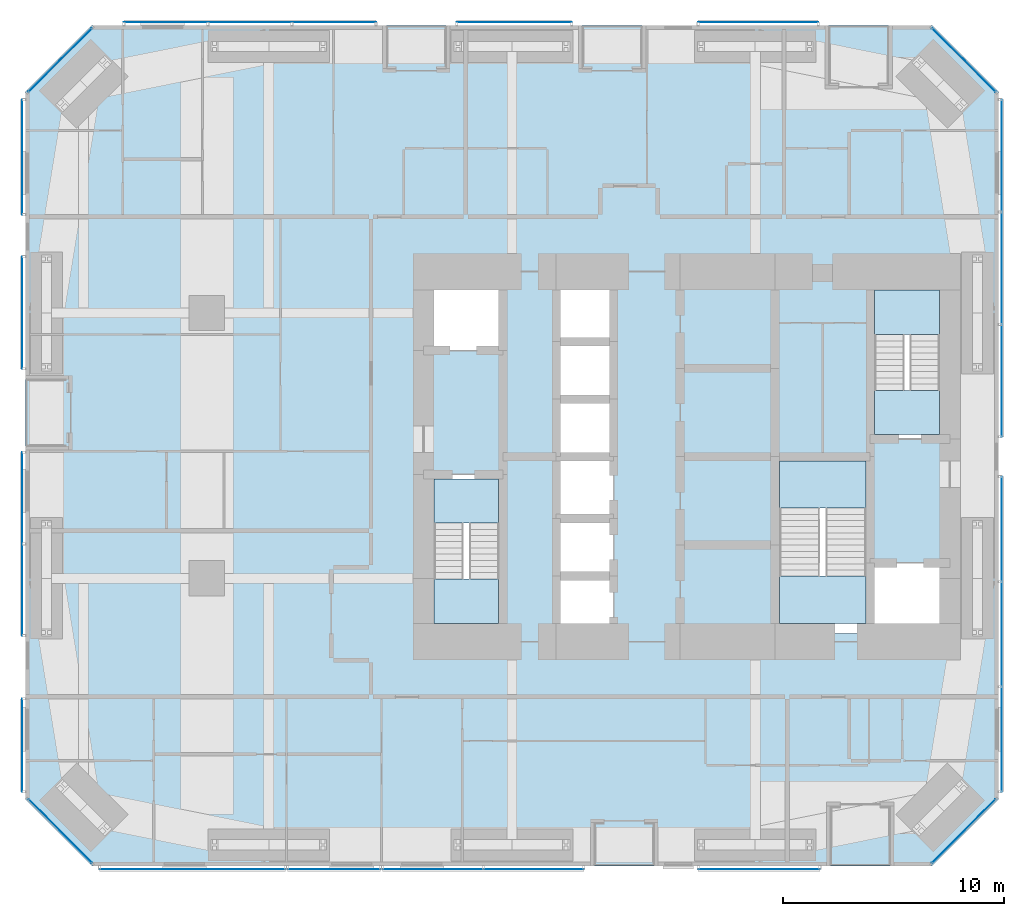
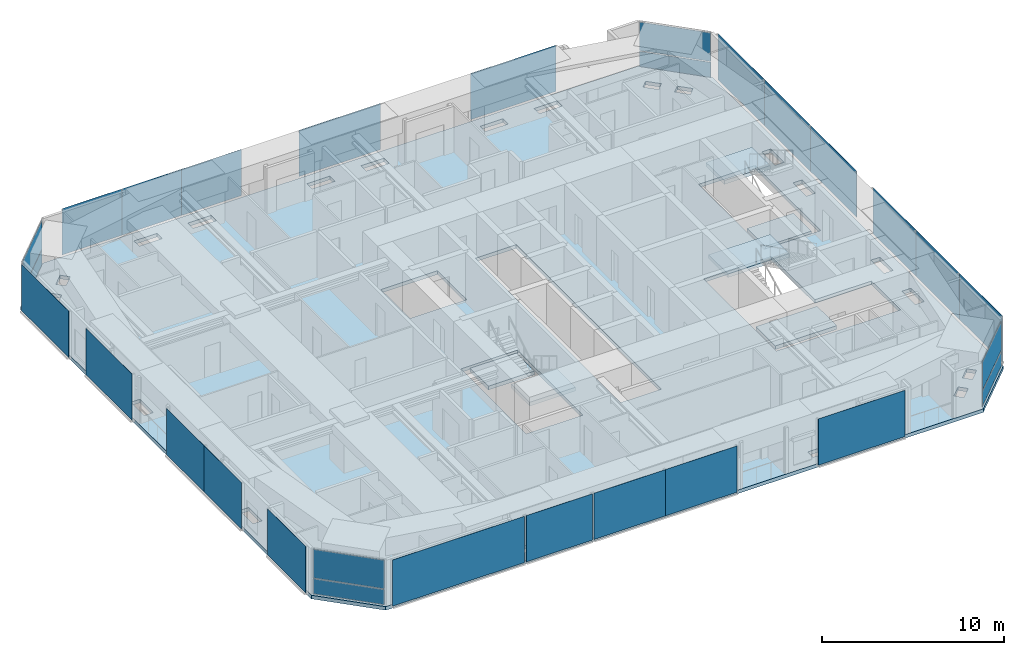
# One storey, part 16 of 24: 29 plates, 7 slabs, 20 elements without a shape of their own.
"""IFC4 building model written with IfcOpenShell, lengths in metres."""

from ifc_helpers import new_model, si_unit, direction, frame, origin, origin_2d, place, context, subcontext, project, spatial, polyline, rectangle, outline, extrude, material, layer, layer_set, type_object, element, aggregate, save


model = new_model("IFC4")

# Units and contexts
model_context = context("Model", 3, precision=1e-05, world=origin(), true_north=direction((0.0, 1.0)))
body_context = subcontext(model_context, "Body", "Model", "MODEL_VIEW")
ifc_project = project(units=[si_unit("LENGTHUNIT", "METRE"), si_unit("AREAUNIT", "SQUARE_METRE"), si_unit("VOLUMEUNIT", "CUBIC_METRE"), si_unit("PLANEANGLEUNIT", "RADIAN"), si_unit("MASSUNIT", "GRAM", prefix="KILO")], contexts=[model_context])

# Site, building, storey
site_placement = place(None, origin())
site = spatial("IfcSite", under=ifc_project, at=site_placement, CompositionType="ELEMENT")
building_placement = place(site_placement, origin())
building = spatial("IfcBuilding", under=site, at=building_placement, Name="Jalousie Tower", CompositionType="ELEMENT")
storey_placement = place(building_placement, frame((0.0, 0.0, 51.14990234375)))
storey = spatial("IfcBuildingStorey", under=building, at=storey_placement, Name="L13", CompositionType="ELEMENT", Elevation=51.14990234375)

# Curtain wall, plates
ifc_material_1 = material(Name="Aluminium curtain wall", Category="aluminium")
curtain_wall_type_1 = type_object("IfcCurtainWallType", Name="CORNER WINDOW WALL", PredefinedType="USERDEFINED", material=ifc_material_1)
curtain_wall_1_placement = place(storey_placement, origin())
curtain_wall_1 = element("IfcCurtainWall", 1, at=curtain_wall_1_placement, inside=storey, type_object=curtain_wall_type_1, Name="Corner Window Wall L13 2", ObjectType="CORNER WINDOW WALL", PredefinedType="USERDEFINED")
ifc_material_2 = material(Name="Laminated impact-rated spandrel glass", Category="glass")
ifc_layer_1 = layer(ifc_material_2, 0.028076171875)
ifc_layer_set_1 = layer_set([ifc_layer_1], Name="Laminated impact-rated spandrel glass")
plate_type_1 = type_object("IfcPlateType", Name="CORNER WINDOW WALL PANEL", PredefinedType="CURTAIN_PANEL", material=ifc_layer_set_1)
plate_1_placement = place(storey_placement, frame((44.4306640625, 1.5693359375, 0.06005859375), z_axis=(0.0, 0.0, 1.0), x_axis=(0.707106781187, 0.707106781187, 0.0)))
plate_1 = element("IfcPlate", 2, at=plate_1_placement, type_object=plate_type_1, Name="CW-C panel 1.1", PredefinedType="CURTAIN_PANEL", context=body_context, shape_type="SweptSolid", body=[
    extrude(rectangle(XDim=4.071533203125, YDim=0.028076171875, at=origin_2d()), origin(), (0.0, 0.0, 1.0), 1.010009765625),
])
plate_2_placement = place(storey_placement, frame((44.4306640625, 1.5693359375, 1.130126953125), z_axis=(0.0, 0.0, 1.0), x_axis=(0.707106781187, 0.707106781187, 0.0)))
plate_2 = element("IfcPlate", 3, at=plate_2_placement, type_object=plate_type_1, Name="CW-C panel 1.2", PredefinedType="CURTAIN_PANEL", context=body_context, shape_type="SweptSolid", body=[
    extrude(rectangle(XDim=4.071533203125, YDim=0.028076171875, at=origin_2d()), origin(), (0.0, 0.0, 1.0), 1.919921875),
])
aggregate(curtain_wall_1, [plate_1, plate_2])

curtain_wall_2_placement = place(storey_placement, origin())
curtain_wall_2 = element("IfcCurtainWall", 4, at=curtain_wall_2_placement, inside=storey, type_object=curtain_wall_type_1, Name="Corner Window Wall L13 4", ObjectType="CORNER WINDOW WALL", PredefinedType="USERDEFINED")
plate_3_placement = place(storey_placement, frame((44.4306640625, 36.4306640625, 0.06005859375), z_axis=(0.0, 0.0, 1.0), x_axis=(-0.707106781187, 0.707106781187, 0.0)))
plate_3 = element("IfcPlate", 5, at=plate_3_placement, type_object=plate_type_1, Name="CW-C panel 1.1", PredefinedType="CURTAIN_PANEL", context=body_context, shape_type="SweptSolid", body=[
    extrude(rectangle(XDim=4.071533203125, YDim=0.028076171875, at=origin_2d()), origin(), (0.0, 0.0, 1.0), 1.010009765625),
])
plate_4_placement = place(storey_placement, frame((44.4306640625, 36.4306640625, 1.130126953125), z_axis=(0.0, 0.0, 1.0), x_axis=(-0.707106781187, 0.707106781187, 0.0)))
plate_4 = element("IfcPlate", 6, at=plate_4_placement, type_object=plate_type_1, Name="CW-C panel 1.2", PredefinedType="CURTAIN_PANEL", context=body_context, shape_type="SweptSolid", body=[
    extrude(rectangle(XDim=4.071533203125, YDim=0.028076171875, at=origin_2d()), origin(), (0.0, 0.0, 1.0), 1.919921875),
])
aggregate(curtain_wall_2, [plate_3, plate_4])

curtain_wall_3_placement = place(storey_placement, origin())
curtain_wall_3 = element("IfcCurtainWall", 7, at=curtain_wall_3_placement, inside=storey, type_object=curtain_wall_type_1, Name="Corner Window Wall L13 6", ObjectType="CORNER WINDOW WALL", PredefinedType="USERDEFINED")
plate_5_placement = place(storey_placement, frame((3.5693359375, 36.4306640625, 0.06005859375), z_axis=(0.0, 0.0, 1.0), x_axis=(-0.707106781187, -0.707106781187, 0.0)))
plate_5 = element("IfcPlate", 8, at=plate_5_placement, type_object=plate_type_1, Name="CW-C panel 1.1", PredefinedType="CURTAIN_PANEL", context=body_context, shape_type="SweptSolid", body=[
    extrude(rectangle(XDim=4.071533203125, YDim=0.028076171875, at=origin_2d()), origin(), (0.0, 0.0, 1.0), 1.010009765625),
])
plate_6_placement = place(storey_placement, frame((3.5693359375, 36.4306640625, 1.130126953125), z_axis=(0.0, 0.0, 1.0), x_axis=(-0.707106781187, -0.707106781187, 0.0)))
plate_6 = element("IfcPlate", 9, at=plate_6_placement, type_object=plate_type_1, Name="CW-C panel 1.2", PredefinedType="CURTAIN_PANEL", context=body_context, shape_type="SweptSolid", body=[
    extrude(rectangle(XDim=4.071533203125, YDim=0.028076171875, at=origin_2d()), origin(), (0.0, 0.0, 1.0), 1.919921875),
])
aggregate(curtain_wall_3, [plate_5, plate_6])

curtain_wall_4_placement = place(storey_placement, origin())
curtain_wall_4 = element("IfcCurtainWall", 10, at=curtain_wall_4_placement, inside=storey, type_object=curtain_wall_type_1, Name="Corner Window Wall L13 8", ObjectType="CORNER WINDOW WALL", PredefinedType="USERDEFINED")
plate_7_placement = place(storey_placement, frame((3.5693359375, 1.5693359375, 0.06005859375), z_axis=(0.0, 0.0, 1.0), x_axis=(0.707106781187, -0.707106781187, 0.0)))
plate_7 = element("IfcPlate", 11, at=plate_7_placement, type_object=plate_type_1, Name="CW-C panel 1.1", PredefinedType="CURTAIN_PANEL", context=body_context, shape_type="SweptSolid", body=[
    extrude(rectangle(XDim=4.071533203125, YDim=0.028076171875, at=origin_2d()), origin(), (0.0, 0.0, 1.0), 1.010009765625),
])
plate_8_placement = place(storey_placement, frame((3.5693359375, 1.5693359375, 1.130126953125), z_axis=(0.0, 0.0, 1.0), x_axis=(0.707106781187, -0.707106781187, 0.0)))
plate_8 = element("IfcPlate", 12, at=plate_8_placement, type_object=plate_type_1, Name="CW-C panel 1.2", PredefinedType="CURTAIN_PANEL", context=body_context, shape_type="SweptSolid", body=[
    extrude(rectangle(XDim=4.071533203125, YDim=0.028076171875, at=origin_2d()), origin(), (0.0, 0.0, 1.0), 1.919921875),
])
aggregate(curtain_wall_4, [plate_7, plate_8])

# Slab
ifc_material_3 = material(Name="Concrete f'c 40 MPa", Category="concrete")
ifc_layer_2 = layer(ifc_material_3, 0.239990234375)
ifc_layer_set_2 = layer_set([ifc_layer_2], Name="Concrete f'c 40 MPa")
slab_type_1 = type_object("IfcSlabType", Name="FLOOR SLAB 240", PredefinedType="FLOOR", material=ifc_layer_set_2)
slab_1_placement = place(storey_placement, frame((0.0, 0.0, -0.239990234375)))
element("IfcSlab", 13, at=slab_1_placement, inside=storey, type_object=slab_type_1, Name="L13 floor slab", PredefinedType="FLOOR", context=body_context, shape_type="SweptSolid", body=[
    extrude(outline(polyline([(5.0, 0.0), (43.0, 0.0), (46.0, 3.0), (46.0, 35.0), (43.0, 38.0), (5.0, 38.0), (2.0, 35.0), (2.0, 3.0), (5.0, 0.0)]), holes=[polyline([(26.425048828125, 0.663818359375), (26.3642578125, 0.663818359375), (24.986083984375, 0.663818359375), (24.986083984375, 1.236083984375), (26.3642578125, 1.236083984375), (26.425048828125, 1.236083984375), (26.449951171875, 1.236083984375), (26.449951171875, 0.663818359375), (26.425048828125, 0.663818359375)]), polyline([(21.574951171875, 1.236083984375), (21.6357421875, 1.236083984375), (23.013916015625, 1.236083984375), (23.013916015625, 0.663818359375), (21.6357421875, 0.663818359375), (21.574951171875, 0.663818359375), (21.550048828125, 0.663818359375), (21.550048828125, 1.236083984375), (21.574951171875, 1.236083984375)]), polyline([(10.550048828125, 0.663818359375), (10.550048828125, 1.236083984375), (10.574951171875, 1.236083984375), (10.6357421875, 1.236083984375), (12.013916015625, 1.236083984375), (12.013916015625, 0.663818359375), (10.6357421875, 0.663818359375), (10.574951171875, 0.663818359375), (10.550048828125, 0.663818359375)]), polyline([(13.986083984375, 0.663818359375), (13.986083984375, 1.236083984375), (15.3642578125, 1.236083984375), (15.425048828125, 1.236083984375), (15.449951171875, 1.236083984375), (15.449951171875, 0.663818359375), (15.425048828125, 0.663818359375), (15.3642578125, 0.663818359375), (13.986083984375, 0.663818359375)]), polyline([(5.788330078125, 1.879150390625), (5.788330078125, 1.879150390625), (5.5859375, 1.6767578125), (5.383544921875, 1.474365234375), (4.750244140625, 2.10791015625), (5.155029296875, 2.5126953125), (5.788330078125, 1.879150390625), (5.788330078125, 1.879150390625)]), polyline([(3.947265625, 3.72021484375), (3.96533203125, 3.7021484375), (4.5126953125, 3.155029296875), (4.10791015625, 2.750244140625), (3.474365234375, 3.383544921875), (3.6767578125, 3.5859375), (3.879150390625, 3.788330078125), (3.879150390625, 3.788330078125), (3.947265625, 3.72021484375)]), polyline([(3.236083984375, 10.550048828125), (2.663818359375, 10.550048828125), (2.663818359375, 10.574951171875), (2.663818359375, 10.6357421875), (2.663818359375, 12.013916015625), (3.236083984375, 12.013916015625), (3.236083984375, 10.6357421875), (3.236083984375, 10.574951171875), (3.236083984375, 10.550048828125)]), polyline([(26.0, 10.5), (26.0, 26.5), (28.60009765625, 26.5), (28.60009765625, 10.5), (26.0, 10.5)]), polyline([(20.0, 10.5), (23.60009765625, 10.5), (23.60009765625, 17.699951171875), (20.0, 17.699951171875), (20.0, 10.5)]), polyline([(3.236083984375, 15.449951171875), (3.236083984375, 15.425048828125), (3.236083984375, 15.3642578125), (3.236083984375, 13.986083984375), (2.663818359375, 13.986083984375), (2.663818359375, 15.3642578125), (2.663818359375, 15.425048828125), (2.663818359375, 15.449951171875), (3.236083984375, 15.449951171875)]), polyline([(2.663818359375, 22.574951171875), (2.663818359375, 22.6357421875), (2.663818359375, 24.013916015625), (3.236083984375, 24.013916015625), (3.236083984375, 22.6357421875), (3.236083984375, 22.574951171875), (3.236083984375, 22.550048828125), (2.663818359375, 22.550048828125), (2.663818359375, 22.574951171875)]), polyline([(20.0, 23.300048828125), (23.60009765625, 23.300048828125), (23.60009765625, 26.5), (20.0, 26.5), (20.0, 23.300048828125)]), polyline([(3.236083984375, 27.425048828125), (3.236083984375, 27.3642578125), (3.236083984375, 25.986083984375), (2.663818359375, 25.986083984375), (2.663818359375, 27.3642578125), (2.663818359375, 27.425048828125), (2.663818359375, 27.449951171875), (3.236083984375, 27.449951171875), (3.236083984375, 27.425048828125)]), polyline([(3.560791015625, 34.70263671875), (4.10791015625, 35.249755859375), (4.5126953125, 34.844970703125), (3.879150390625, 34.211669921875), (3.474365234375, 34.616455078125), (3.560791015625, 34.70263671875)]), polyline([(5.788330078125, 36.120849609375), (5.7294921875, 36.06201171875), (5.7021484375, 36.03466796875), (5.7021484375, 36.03466796875), (5.155029296875, 35.4873046875), (4.750244140625, 35.89208984375), (5.383544921875, 36.525634765625), (5.5859375, 36.3232421875), (5.788330078125, 36.120849609375), (5.788330078125, 36.120849609375), (5.788330078125, 36.120849609375)]), polyline([(15.449951171875, 37.336181640625), (15.449951171875, 36.763916015625), (15.425048828125, 36.763916015625), (15.3642578125, 36.763916015625), (13.986083984375, 36.763916015625), (13.986083984375, 37.336181640625), (15.3642578125, 37.336181640625), (15.425048828125, 37.336181640625), (15.449951171875, 37.336181640625)]), polyline([(23.013916015625, 37.336181640625), (23.013916015625, 36.763916015625), (21.6357421875, 36.763916015625), (21.574951171875, 36.763916015625), (21.550048828125, 36.763916015625), (21.550048828125, 37.336181640625), (21.574951171875, 37.336181640625), (21.6357421875, 37.336181640625), (23.013916015625, 37.336181640625)]), polyline([(10.550048828125, 36.763916015625), (10.550048828125, 37.336181640625), (10.574951171875, 37.336181640625), (10.6357421875, 37.336181640625), (12.013916015625, 37.336181640625), (12.013916015625, 36.763916015625), (10.6357421875, 36.763916015625), (10.574951171875, 36.763916015625), (10.550048828125, 36.763916015625)]), polyline([(24.986083984375, 36.763916015625), (24.986083984375, 37.336181640625), (26.3642578125, 37.336181640625), (26.425048828125, 37.336181640625), (26.449951171875, 37.336181640625), (26.449951171875, 36.763916015625), (26.425048828125, 36.763916015625), (26.3642578125, 36.763916015625), (24.986083984375, 36.763916015625)]), polyline([(32.6357421875, 0.663818359375), (32.574951171875, 0.663818359375), (32.550048828125, 0.663818359375), (32.550048828125, 1.236083984375), (32.574951171875, 1.236083984375), (32.6357421875, 1.236083984375), (34.013916015625, 1.236083984375), (34.013916015625, 0.663818359375), (32.6357421875, 0.663818359375)]), polyline([(37.3642578125, 1.236083984375), (37.425048828125, 1.236083984375), (37.449951171875, 1.236083984375), (37.449951171875, 0.663818359375), (37.425048828125, 0.663818359375), (37.3642578125, 0.663818359375), (35.986083984375, 0.663818359375), (35.986083984375, 1.236083984375), (37.3642578125, 1.236083984375)]), polyline([(42.70263671875, 1.560791015625), (42.616455078125, 1.474365234375), (42.4140625, 1.6767578125), (42.211669921875, 1.879150390625), (42.211669921875, 1.879150390625), (42.2978515625, 1.96533203125), (42.844970703125, 2.5126953125), (43.249755859375, 2.10791015625), (42.70263671875, 1.560791015625), (42.70263671875, 1.560791015625)]), polyline([(44.03466796875, 3.7021484375), (44.04345703125, 3.7109375), (44.120849609375, 3.788330078125), (44.120849609375, 3.788330078125), (44.120849609375, 3.788330078125), (44.3232421875, 3.5859375), (44.525634765625, 3.383544921875), (43.89208984375, 2.750244140625), (43.4873046875, 3.155029296875), (44.03466796875, 3.7021484375)]), polyline([(45.336181640625, 10.550048828125), (44.763916015625, 10.550048828125), (44.763916015625, 10.574951171875), (44.763916015625, 10.6357421875), (44.763916015625, 12.013916015625), (45.336181640625, 12.013916015625), (45.336181640625, 10.6357421875), (45.336181640625, 10.574951171875), (45.336181640625, 10.550048828125)]), polyline([(35.89990234375, 10.5), (35.89990234375, 18.5), (40.199951171875, 18.5), (40.199951171875, 13.699951171875), (43.800048828125, 13.699951171875), (43.800048828125, 10.5), (35.89990234375, 10.5)]), polyline([(45.336181640625, 15.425048828125), (45.336181640625, 15.3642578125), (45.336181640625, 13.986083984375), (44.763916015625, 13.986083984375), (44.763916015625, 15.3642578125), (44.763916015625, 15.425048828125), (44.763916015625, 15.449951171875), (45.336181640625, 15.449951171875), (45.336181640625, 15.425048828125)]), polyline([(40.199951171875, 19.300048828125), (43.800048828125, 19.300048828125), (43.800048828125, 26.5), (40.199951171875, 26.5), (40.199951171875, 19.300048828125)]), polyline([(45.336181640625, 22.550048828125), (44.763916015625, 22.550048828125), (44.763916015625, 22.574951171875), (44.763916015625, 22.6357421875), (44.763916015625, 24.013916015625), (45.336181640625, 24.013916015625), (45.336181640625, 22.6357421875), (45.336181640625, 22.574951171875), (45.336181640625, 22.550048828125)]), polyline([(45.336181640625, 27.449951171875), (45.336181640625, 27.425048828125), (45.336181640625, 27.3642578125), (45.336181640625, 25.986083984375), (44.763916015625, 25.986083984375), (44.763916015625, 27.3642578125), (44.763916015625, 27.425048828125), (44.763916015625, 27.449951171875), (45.336181640625, 27.449951171875)]), polyline([(44.120849609375, 34.211669921875), (44.03466796875, 34.2978515625), (43.4873046875, 34.844970703125), (43.89208984375, 35.249755859375), (44.525634765625, 34.616455078125), (44.525634765625, 34.616455078125), (44.525634765625, 34.616455078125), (44.3232421875, 34.4140625), (44.120849609375, 34.211669921875)]), polyline([(42.616455078125, 36.525634765625), (42.616455078125, 36.525634765625), (43.249755859375, 35.89208984375), (42.844970703125, 35.4873046875), (42.2978515625, 36.03466796875), (42.211669921875, 36.120849609375), (42.4140625, 36.3232421875), (42.616455078125, 36.525634765625), (42.616455078125, 36.525634765625)]), polyline([(37.3642578125, 37.336181640625), (37.425048828125, 37.336181640625), (37.449951171875, 37.336181640625), (37.449951171875, 36.763916015625), (37.425048828125, 36.763916015625), (37.3642578125, 36.763916015625), (35.986083984375, 36.763916015625), (35.986083984375, 37.336181640625), (37.3642578125, 37.336181640625)]), polyline([(32.574951171875, 37.336181640625), (32.6357421875, 37.336181640625), (34.013916015625, 37.336181640625), (34.013916015625, 36.763916015625), (32.6357421875, 36.763916015625), (32.574951171875, 36.763916015625), (32.550048828125, 36.763916015625), (32.550048828125, 37.336181640625), (32.574951171875, 37.336181640625)])]), origin(), (0.0, 0.0, 1.0), 0.239990234375),
])

# Curtain wall, plate
ifc_material_4 = material(Name="Perforated aluminium sheet", Category="aluminium")
curtain_wall_type_2 = type_object("IfcCurtainWallType", Name="SOLAR SCREEN SS-1", PredefinedType="USERDEFINED", material=ifc_material_4)
curtain_wall_5_placement = place(storey_placement, origin())
curtain_wall_5 = element("IfcCurtainWall", 14, at=curtain_wall_5_placement, inside=storey, type_object=curtain_wall_type_2, Name="Solar screen L13", ObjectType="SOLAR SCREEN SS-1", PredefinedType="USERDEFINED")
ifc_material_5 = material(Name="Perforated aluminium sheet", Category="aluminium")
ifc_layer_3 = layer(ifc_material_5, 0.006103515625)
ifc_layer_set_3 = layer_set([ifc_layer_3], Name="Perforated aluminium sheet")
plate_type_2 = type_object("IfcPlateType", Name="SOLAR SCREEN SS-1 PANEL", PredefinedType="CURTAIN_PANEL", material=ifc_layer_set_3)
plate_9_placement = place(storey_placement, frame((9.55078125, -0.150390625, 0.0), z_axis=(0.0, 0.0, 1.0), x_axis=(1.0, 0.0, 0.0)))
plate_9 = element("IfcPlate", 15, at=plate_9_placement, type_object=plate_type_2, Name="SS1 perforated panel 1", PredefinedType="CURTAIN_PANEL", context=body_context, shape_type="SweptSolid", body=[
    extrude(rectangle(XDim=8.398681640625, YDim=0.006103515625, at=origin_2d()), origin(), (0.0, 0.0, 1.0), 3.110107421875),
])
aggregate(curtain_wall_5, [plate_9])

curtain_wall_6_placement = place(storey_placement, origin())
curtain_wall_6 = element("IfcCurtainWall", 16, at=curtain_wall_6_placement, inside=storey, type_object=curtain_wall_type_2, Name="Solar screen L13", ObjectType="SOLAR SCREEN SS-1", PredefinedType="USERDEFINED")
plate_10_placement = place(storey_placement, frame((15.949951171875, -0.150390625, 0.0), z_axis=(0.0, 0.0, 1.0), x_axis=(1.0, 0.0, 0.0)))
plate_10 = element("IfcPlate", 17, at=plate_10_placement, type_object=plate_type_2, Name="SS1 perforated panel 1", PredefinedType="CURTAIN_PANEL", context=body_context, shape_type="SweptSolid", body=[
    extrude(rectangle(XDim=4.199951171875, YDim=0.006103515625, at=origin_2d()), origin(), (0.0, 0.0, 1.0), 3.110107421875),
])
aggregate(curtain_wall_6, [plate_10])

# Curtain wall, plates
curtain_wall_7_placement = place(storey_placement, origin())
curtain_wall_7 = element("IfcCurtainWall", 18, at=curtain_wall_7_placement, inside=storey, type_object=curtain_wall_type_2, Name="Solar screen L13", ObjectType="SOLAR SCREEN SS-1", PredefinedType="USERDEFINED")
plate_11_placement = place(storey_placement, frame((20.425048828125, -0.150390625, 0.0), z_axis=(0.0, 0.0, 1.0), x_axis=(1.0, 0.0, 0.0)))
plate_11 = element("IfcPlate", 19, at=plate_11_placement, type_object=plate_type_2, Name="SS1 perforated panel 1", PredefinedType="CURTAIN_PANEL", context=body_context, shape_type="SweptSolid", body=[
    extrude(rectangle(XDim=4.550048828125, YDim=0.006103515625, at=origin_2d()), origin(), (0.0, 0.0, 1.0), 3.110107421875),
])
plate_12_placement = place(storey_placement, frame((24.97509765625, -0.150390625, 0.0), z_axis=(0.0, 0.0, 1.0), x_axis=(1.0, 0.0, 0.0)))
plate_12 = element("IfcPlate", 20, at=plate_12_placement, type_object=plate_type_2, Name="SS1 perforated panel 2", PredefinedType="CURTAIN_PANEL", context=body_context, shape_type="SweptSolid", body=[
    extrude(rectangle(XDim=4.550048828125, YDim=0.006103515625, at=origin_2d()), origin(), (0.0, 0.0, 1.0), 3.110107421875),
])
aggregate(curtain_wall_7, [plate_11, plate_12])

# Curtain wall, plate
curtain_wall_8_placement = place(storey_placement, origin())
curtain_wall_8 = element("IfcCurtainWall", 21, at=curtain_wall_8_placement, inside=storey, type_object=curtain_wall_type_2, Name="Solar screen L13", ObjectType="SOLAR SCREEN SS-1", PredefinedType="USERDEFINED")
plate_13_placement = place(storey_placement, frame((35.171142578125, -0.150390625, 0.0), z_axis=(0.0, 0.0, 1.0), x_axis=(1.0, 0.0, 0.0)))
plate_13 = element("IfcPlate", 22, at=plate_13_placement, type_object=plate_type_2, Name="SS1 perforated panel 1", PredefinedType="CURTAIN_PANEL", context=body_context, shape_type="SweptSolid", body=[
    extrude(rectangle(XDim=5.507568359375, YDim=0.006103515625, at=origin_2d()), origin(), (0.0, 0.0, 1.0), 3.110107421875),
])
aggregate(curtain_wall_8, [plate_13])

# Curtain wall, plates
curtain_wall_9_placement = place(storey_placement, origin())
curtain_wall_9 = element("IfcCurtainWall", 23, at=curtain_wall_9_placement, inside=storey, type_object=curtain_wall_type_2, Name="Solar screen L13", ObjectType="SOLAR SCREEN SS-1", PredefinedType="USERDEFINED")
plate_14_placement = place(storey_placement, frame((46.150390625, 5.72607421875, 0.0), z_axis=(0.0, 0.0, 1.0), x_axis=(0.0, 1.0, 0.0)))
plate_14 = element("IfcPlate", 24, at=plate_14_placement, type_object=plate_type_2, Name="SS1 perforated panel 1", PredefinedType="CURTAIN_PANEL", context=body_context, shape_type="SweptSolid", body=[
    extrude(rectangle(XDim=4.74951171875, YDim=0.006103515625, at=origin_2d()), origin(), (0.0, 0.0, 1.0), 3.110107421875),
])
plate_15_placement = place(storey_placement, frame((46.150390625, 10.4755859375, 0.0), z_axis=(0.0, 0.0, 1.0), x_axis=(0.0, 1.0, 0.0)))
plate_15 = element("IfcPlate", 25, at=plate_15_placement, type_object=plate_type_2, Name="SS1 perforated panel 2", PredefinedType="CURTAIN_PANEL", context=body_context, shape_type="SweptSolid", body=[
    extrude(rectangle(XDim=4.74951171875, YDim=0.006103515625, at=origin_2d()), origin(), (0.0, 0.0, 1.0), 3.110107421875),
])
plate_16_placement = place(storey_placement, frame((46.150390625, 15.22509765625, 0.0), z_axis=(0.0, 0.0, 1.0), x_axis=(0.0, 1.0, 0.0)))
plate_16 = element("IfcPlate", 26, at=plate_16_placement, type_object=plate_type_2, Name="SS1 perforated panel 3", PredefinedType="CURTAIN_PANEL", context=body_context, shape_type="SweptSolid", body=[
    extrude(rectangle(XDim=4.74951171875, YDim=0.006103515625, at=origin_2d()), origin(), (0.0, 0.0, 1.0), 3.110107421875),
])
aggregate(curtain_wall_9, [plate_14, plate_15, plate_16])

curtain_wall_10_placement = place(storey_placement, origin())
curtain_wall_10 = element("IfcCurtainWall", 27, at=curtain_wall_10_placement, inside=storey, type_object=curtain_wall_type_2, Name="Solar screen L13", ObjectType="SOLAR SCREEN SS-1", PredefinedType="USERDEFINED")
plate_17_placement = place(storey_placement, frame((46.150390625, 21.94140625, 0.0), z_axis=(0.0, 0.0, 1.0), x_axis=(0.0, 1.0, 0.0)))
plate_17 = element("IfcPlate", 28, at=plate_17_placement, type_object=plate_type_2, Name="SS1 perforated panel 1", PredefinedType="CURTAIN_PANEL", context=body_context, shape_type="SweptSolid", body=[
    extrude(rectangle(XDim=5.0830078125, YDim=0.006103515625, at=origin_2d()), origin(), (0.0, 0.0, 1.0), 3.110107421875),
])
plate_18_placement = place(storey_placement, frame((46.150390625, 27.0244140625, 0.0), z_axis=(0.0, 0.0, 1.0), x_axis=(0.0, 1.0, 0.0)))
plate_18 = element("IfcPlate", 29, at=plate_18_placement, type_object=plate_type_2, Name="SS1 perforated panel 2", PredefinedType="CURTAIN_PANEL", context=body_context, shape_type="SweptSolid", body=[
    extrude(rectangle(XDim=5.0830078125, YDim=0.006103515625, at=origin_2d()), origin(), (0.0, 0.0, 1.0), 3.110107421875),
])
plate_19_placement = place(storey_placement, frame((46.150390625, 32.107177734375, 0.0), z_axis=(0.0, 0.0, 1.0), x_axis=(0.0, 1.0, 0.0)))
plate_19 = element("IfcPlate", 30, at=plate_19_placement, type_object=plate_type_2, Name="SS1 perforated panel 3", PredefinedType="CURTAIN_PANEL", context=body_context, shape_type="SweptSolid", body=[
    extrude(rectangle(XDim=5.0830078125, YDim=0.006103515625, at=origin_2d()), origin(), (0.0, 0.0, 1.0), 3.110107421875),
])
aggregate(curtain_wall_10, [plate_17, plate_18, plate_19])

# Curtain wall, plate
curtain_wall_11_placement = place(storey_placement, origin())
curtain_wall_11 = element("IfcCurtainWall", 31, at=curtain_wall_11_placement, inside=storey, type_object=curtain_wall_type_2, Name="Solar screen L13", ObjectType="SOLAR SCREEN SS-1", PredefinedType="USERDEFINED")
plate_20_placement = place(storey_placement, frame((35.1318359375, 38.150390625, 0.0), z_axis=(0.0, 0.0, 1.0), x_axis=(-1.0, 0.0, 0.0)))
plate_20 = element("IfcPlate", 32, at=plate_20_placement, type_object=plate_type_2, Name="SS1 perforated panel 1", PredefinedType="CURTAIN_PANEL", context=body_context, shape_type="SweptSolid", body=[
    extrude(rectangle(XDim=5.43359375, YDim=0.006103515625, at=origin_2d()), origin(), (0.0, 0.0, 1.0), 3.110107421875),
])
aggregate(curtain_wall_11, [plate_20])

curtain_wall_12_placement = place(storey_placement, origin())
curtain_wall_12 = element("IfcCurtainWall", 33, at=curtain_wall_12_placement, inside=storey, type_object=curtain_wall_type_2, Name="Solar screen L13", ObjectType="SOLAR SCREEN SS-1", PredefinedType="USERDEFINED")
plate_21_placement = place(storey_placement, frame((24.10009765625, 38.150390625, 0.0), z_axis=(0.0, 0.0, 1.0), x_axis=(-1.0, 0.0, 0.0)))
plate_21 = element("IfcPlate", 34, at=plate_21_placement, type_object=plate_type_2, Name="SS1 perforated panel 1", PredefinedType="CURTAIN_PANEL", context=body_context, shape_type="SweptSolid", body=[
    extrude(rectangle(XDim=5.199951171875, YDim=0.006103515625, at=origin_2d()), origin(), (0.0, 0.0, 1.0), 3.110107421875),
])
aggregate(curtain_wall_12, [plate_21])

# Curtain wall, plates
curtain_wall_13_placement = place(storey_placement, origin())
curtain_wall_13 = element("IfcCurtainWall", 35, at=curtain_wall_13_placement, inside=storey, type_object=curtain_wall_type_2, Name="Solar screen L13", ObjectType="SOLAR SCREEN SS-1", PredefinedType="USERDEFINED")
plate_22_placement = place(storey_placement, frame((15.949951171875, 38.150390625, 0.0), z_axis=(0.0, 0.0, 1.0), x_axis=(-1.0, 0.0, 0.0)))
plate_22 = element("IfcPlate", 36, at=plate_22_placement, type_object=plate_type_2, Name="SS1 perforated panel 1", PredefinedType="CURTAIN_PANEL", context=body_context, shape_type="SweptSolid", body=[
    extrude(rectangle(XDim=3.800048828125, YDim=0.006103515625, at=origin_2d()), origin(), (0.0, 0.0, 1.0), 3.110107421875),
])
plate_23_placement = place(storey_placement, frame((12.14990234375, 38.150390625, 0.0), z_axis=(0.0, 0.0, 1.0), x_axis=(-1.0, 0.0, 0.0)))
plate_23 = element("IfcPlate", 37, at=plate_23_placement, type_object=plate_type_2, Name="SS1 perforated panel 2", PredefinedType="CURTAIN_PANEL", context=body_context, shape_type="SweptSolid", body=[
    extrude(rectangle(XDim=3.800048828125, YDim=0.006103515625, at=origin_2d()), origin(), (0.0, 0.0, 1.0), 3.110107421875),
])
plate_24_placement = place(storey_placement, frame((8.35009765625, 38.150390625, 0.0), z_axis=(0.0, 0.0, 1.0), x_axis=(-1.0, 0.0, 0.0)))
plate_24 = element("IfcPlate", 38, at=plate_24_placement, type_object=plate_type_2, Name="SS1 perforated panel 3", PredefinedType="CURTAIN_PANEL", context=body_context, shape_type="SweptSolid", body=[
    extrude(rectangle(XDim=3.800048828125, YDim=0.006103515625, at=origin_2d()), origin(), (0.0, 0.0, 1.0), 3.110107421875),
])
aggregate(curtain_wall_13, [plate_22, plate_23, plate_24])

# Curtain wall, plate
curtain_wall_14_placement = place(storey_placement, origin())
curtain_wall_14 = element("IfcCurtainWall", 39, at=curtain_wall_14_placement, inside=storey, type_object=curtain_wall_type_2, Name="Solar screen L13", ObjectType="SOLAR SCREEN SS-1", PredefinedType="USERDEFINED")
plate_25_placement = place(storey_placement, frame((1.849609375, 32.04931640625, 0.0), z_axis=(0.0, 0.0, 1.0), x_axis=(0.0, -1.0, 0.0)))
plate_25 = element("IfcPlate", 40, at=plate_25_placement, type_object=plate_type_2, Name="SS1 perforated panel 1", PredefinedType="CURTAIN_PANEL", context=body_context, shape_type="SweptSolid", body=[
    extrude(rectangle(XDim=5.19873046875, YDim=0.006103515625, at=origin_2d()), origin(), (0.0, 0.0, 1.0), 3.110107421875),
])
aggregate(curtain_wall_14, [plate_25])

curtain_wall_15_placement = place(storey_placement, origin())
curtain_wall_15 = element("IfcCurtainWall", 41, at=curtain_wall_15_placement, inside=storey, type_object=curtain_wall_type_2, Name="Solar screen L13", ObjectType="SOLAR SCREEN SS-1", PredefinedType="USERDEFINED")
plate_26_placement = place(storey_placement, frame((1.849609375, 25.012451171875, 0.0), z_axis=(0.0, 0.0, 1.0), x_axis=(0.0, -1.0, 0.0)))
plate_26 = element("IfcPlate", 42, at=plate_26_placement, type_object=plate_type_2, Name="SS1 perforated panel 1", PredefinedType="CURTAIN_PANEL", context=body_context, shape_type="SweptSolid", body=[
    extrude(rectangle(XDim=5.074951171875, YDim=0.006103515625, at=origin_2d()), origin(), (0.0, 0.0, 1.0), 3.110107421875),
])
aggregate(curtain_wall_15, [plate_26])

# Curtain wall, plates
curtain_wall_16_placement = place(storey_placement, origin())
curtain_wall_16 = element("IfcCurtainWall", 43, at=curtain_wall_16_placement, inside=storey, type_object=curtain_wall_type_2, Name="Solar screen L13", ObjectType="SOLAR SCREEN SS-1", PredefinedType="USERDEFINED")
plate_27_placement = place(storey_placement, frame((1.849609375, 16.62744140625, 0.0), z_axis=(0.0, 0.0, 1.0), x_axis=(0.0, -1.0, 0.0)))
plate_27 = element("IfcPlate", 44, at=plate_27_placement, type_object=plate_type_2, Name="SS1 perforated panel 1", PredefinedType="CURTAIN_PANEL", context=body_context, shape_type="SweptSolid", body=[
    extrude(rectangle(XDim=4.14501953125, YDim=0.006103515625, at=origin_2d()), origin(), (0.0, 0.0, 1.0), 3.110107421875),
])
plate_28_placement = place(storey_placement, frame((1.849609375, 12.482421875, 0.0), z_axis=(0.0, 0.0, 1.0), x_axis=(0.0, -1.0, 0.0)))
plate_28 = element("IfcPlate", 45, at=plate_28_placement, type_object=plate_type_2, Name="SS1 perforated panel 2", PredefinedType="CURTAIN_PANEL", context=body_context, shape_type="SweptSolid", body=[
    extrude(rectangle(XDim=4.14501953125, YDim=0.006103515625, at=origin_2d()), origin(), (0.0, 0.0, 1.0), 3.110107421875),
])
aggregate(curtain_wall_16, [plate_27, plate_28])

# Curtain wall, plate
curtain_wall_17_placement = place(storey_placement, origin())
curtain_wall_17 = element("IfcCurtainWall", 46, at=curtain_wall_17_placement, inside=storey, type_object=curtain_wall_type_2, Name="Solar screen L13", ObjectType="SOLAR SCREEN SS-1", PredefinedType="USERDEFINED")
plate_29_placement = place(storey_placement, frame((1.849609375, 5.45068359375, 0.0), z_axis=(0.0, 0.0, 1.0), x_axis=(0.0, -1.0, 0.0)))
plate_29 = element("IfcPlate", 47, at=plate_29_placement, type_object=plate_type_2, Name="SS1 perforated panel 1", PredefinedType="CURTAIN_PANEL", context=body_context, shape_type="SweptSolid", body=[
    extrude(rectangle(XDim=4.19873046875, YDim=0.006103515625, at=origin_2d()), origin(), (0.0, 0.0, 1.0), 3.110107421875),
])
aggregate(curtain_wall_17, [plate_29])

# Stair, slabs
ifc_material_6 = material(Name="Concrete f'c 40 MPa", Category="concrete")
stair_type = type_object("IfcStairType", Name="EXIT STAIR", PredefinedType="HALF_TURN_STAIR", material=ifc_material_6)
stair_1_placement = place(storey_placement, origin())
stair_1 = element("IfcStair", 48, at=stair_1_placement, inside=storey, type_object=stair_type, Name="Exit stair A L13", PredefinedType="HALF_TURN_STAIR")
ifc_material_7 = material(Name="Concrete f'c 40 MPa", Category="concrete")
ifc_layer_4 = layer(ifc_material_7, 0.25)
ifc_layer_set_4 = layer_set([ifc_layer_4], Name="Concrete f'c 40 MPa")
slab_type_2 = type_object("IfcSlabType", Name="STAIR LANDING 250", PredefinedType="LANDING", material=ifc_layer_set_4)
slab_2_placement = place(storey_placement, frame((0.0, 0.0, -0.25)))
slab_2 = element("IfcSlab", 49, at=slab_2_placement, type_object=slab_type_2, Name="ST-A landing 1", PredefinedType="LANDING", context=body_context, shape_type="SweptSolid", body=[
    extrude(outline(polyline([(20.47509765625, 15.49755859375), (23.39990234375, 15.49755859375), (23.39990234375, 17.5), (20.47509765625, 17.5), (20.47509765625, 15.49755859375)])), origin(), (0.0, 0.0, 1.0), 0.25),
])
slab_3_placement = place(storey_placement, frame((0.0, 0.0, 1.425048828125)))
slab_3 = element("IfcSlab", 50, at=slab_3_placement, type_object=slab_type_2, Name="ST-A landing 2", PredefinedType="LANDING", context=body_context, shape_type="SweptSolid", body=[
    extrude(outline(polyline([(20.47509765625, 10.949951171875), (23.39990234375, 10.949951171875), (23.39990234375, 12.9775390625), (20.47509765625, 12.9775390625), (20.47509765625, 10.949951171875)])), origin(), (0.0, 0.0, 1.0), 0.25),
])
aggregate(stair_1, [slab_2, slab_3])

stair_2_placement = place(storey_placement, origin())
stair_2 = element("IfcStair", 51, at=stair_2_placement, inside=storey, type_object=stair_type, Name="Exit stair B L13", PredefinedType="HALF_TURN_STAIR")
slab_4_placement = place(storey_placement, frame((0.0, 0.0, -0.25)))
slab_4 = element("IfcSlab", 52, at=slab_4_placement, type_object=slab_type_2, Name="ST-B landing 1", PredefinedType="LANDING", context=body_context, shape_type="SweptSolid", body=[
    extrude(outline(polyline([(40.39990234375, 19.5), (43.324951171875, 19.5), (43.324951171875, 21.50244140625), (40.39990234375, 21.50244140625), (40.39990234375, 19.5)])), origin(), (0.0, 0.0, 1.0), 0.25),
])
slab_5_placement = place(storey_placement, frame((0.0, 0.0, 1.425048828125)))
slab_5 = element("IfcSlab", 53, at=slab_5_placement, type_object=slab_type_2, Name="ST-B landing 2", PredefinedType="LANDING", context=body_context, shape_type="SweptSolid", body=[
    extrude(outline(polyline([(40.39990234375, 24.0224609375), (43.324951171875, 24.0224609375), (43.324951171875, 26.050048828125), (40.39990234375, 26.050048828125), (40.39990234375, 24.0224609375)])), origin(), (0.0, 0.0, 1.0), 0.25),
])
aggregate(stair_2, [slab_4, slab_5])

stair_3_placement = place(storey_placement, origin())
stair_3 = element("IfcStair", 54, at=stair_3_placement, inside=storey, type_object=stair_type, Name="Exit stair C L13", PredefinedType="HALF_TURN_STAIR")
slab_6_placement = place(storey_placement, frame((0.0, 0.0, -0.25)))
slab_6 = element("IfcSlab", 55, at=slab_6_placement, type_object=slab_type_2, Name="ST-C landing 1", PredefinedType="LANDING", context=body_context, shape_type="SweptSolid", body=[
    extrude(outline(polyline([(36.10009765625, 10.949951171875), (40.0, 10.949951171875), (40.0, 13.097412109375), (36.10009765625, 13.097412109375), (36.10009765625, 10.949951171875)])), origin(), (0.0, 0.0, 1.0), 0.25),
])
slab_7_placement = place(storey_placement, frame((0.0, 0.0, 1.425048828125)))
slab_7 = element("IfcSlab", 56, at=slab_7_placement, type_object=slab_type_2, Name="ST-C landing 2", PredefinedType="LANDING", context=body_context, shape_type="SweptSolid", body=[
    extrude(outline(polyline([(36.10009765625, 16.177490234375), (40.0, 16.177490234375), (40.0, 18.300048828125), (36.10009765625, 18.300048828125), (36.10009765625, 16.177490234375)])), origin(), (0.0, 0.0, 1.0), 0.25),
])
aggregate(stair_3, [slab_6, slab_7])

save(model, "model.ifc")
